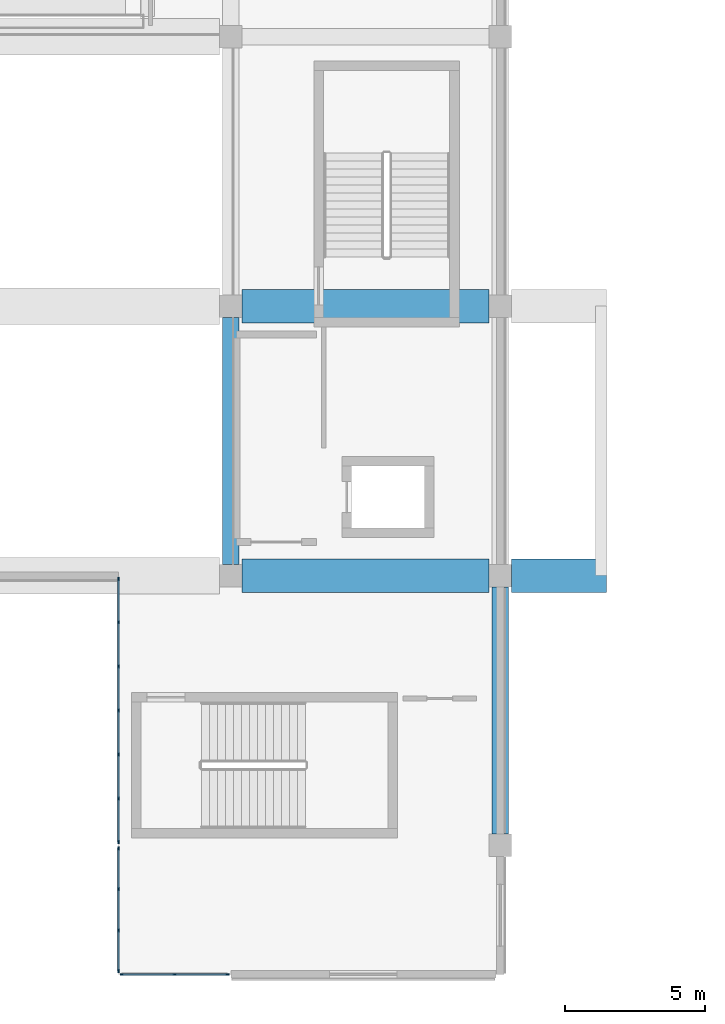
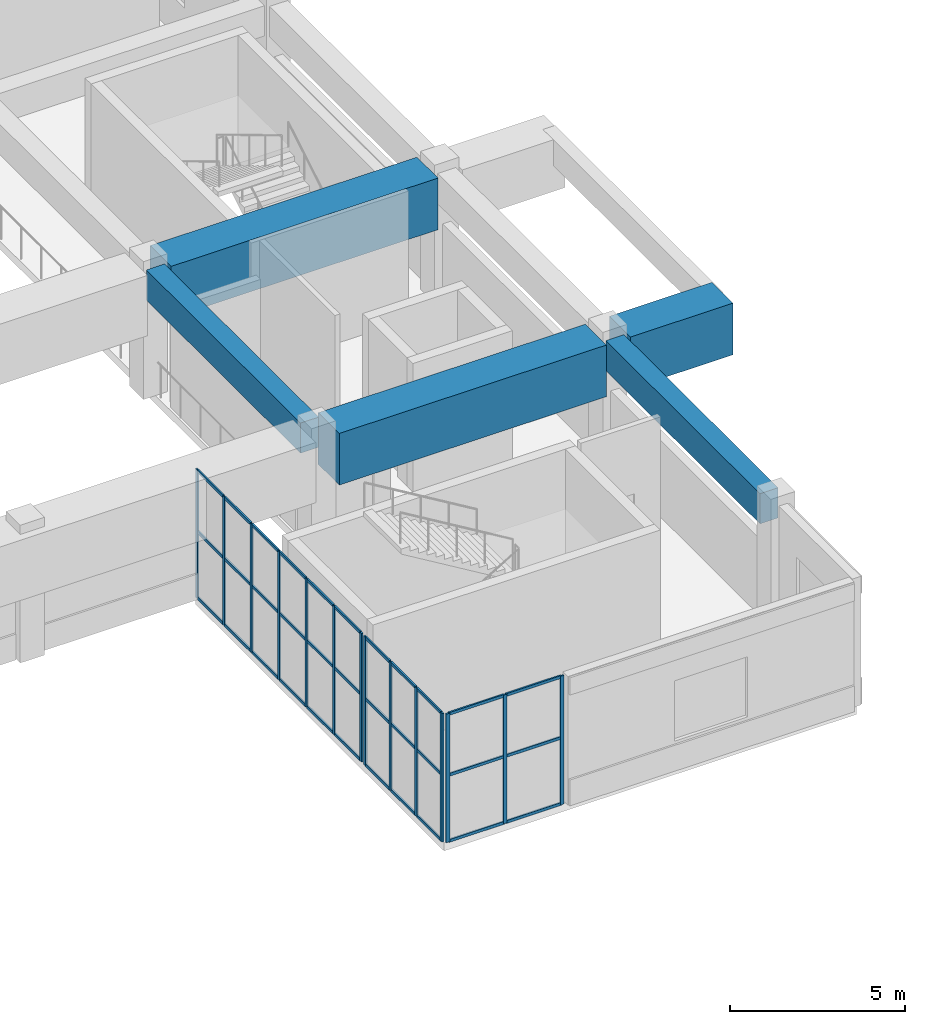
# One storey, part 7 of 33: 47 members, 5 beams, 3 elements without a shape of their own.
"""IFC4 building model written with IfcOpenShell, lengths in metres."""

from ifc_helpers import new_model, si_unit, direction, frame, origin, origin_2d, place, context, subcontext, project, spatial, rectangle, extrude, material, layer, layer_set, material_profile, profile_set, type_object, element, aggregate, save


model = new_model("IFC4")

# Units and contexts
model_context = context("Model", 3, precision=1e-05, world=origin(), true_north=direction((0.0, 1.0)))
body_context = subcontext(model_context, "Body", "Model", "MODEL_VIEW")
ifc_project = project(units=[si_unit("LENGTHUNIT", "METRE"), si_unit("AREAUNIT", "SQUARE_METRE"), si_unit("VOLUMEUNIT", "CUBIC_METRE"), si_unit("PLANEANGLEUNIT", "RADIAN"), si_unit("MASSUNIT", "GRAM", prefix="KILO")], contexts=[model_context])

# Site, building, storey
site_placement = place(None, origin())
site = spatial("IfcSite", under=ifc_project, at=site_placement, CompositionType="ELEMENT")
building_placement = place(site_placement, origin())
building = spatial("IfcBuilding", under=site, at=building_placement, Name="Cendralis Terraced Arcade", CompositionType="ELEMENT")
storey_placement = place(building_placement, frame((0.0, 0.0, 19.800048828125)))
storey = spatial("IfcBuildingStorey", under=building, at=storey_placement, Name="L04", CompositionType="ELEMENT", Elevation=19.800048828125)

# Beams
ifc_material_1 = material(Name="Concrete f'c 35 MPa", Category="concrete")
ifc_material_profile_1 = material_profile(ifc_material_1, rectangle(XDim=0.60009765625, YDim=1.050048828125, at=origin_2d()), Name="RC-BM-600x1050", Category="LoadBearing")
ifc_profile_set_1 = profile_set([ifc_material_profile_1], Name="Concrete f'c 35 MPa")
beam_type_1 = type_object("IfcBeamType", Name="BM-600x1050", PredefinedType="JOIST", material=ifc_profile_set_1)
beam_1_placement = place(storey_placement, frame((48.0, 19.60009765625, 3.954833984375), z_axis=(0.0, 1.0, 0.0), x_axis=(-1.0, 0.0, 0.0)))
element("IfcBeam", 1, at=beam_1_placement, inside=storey, type_object=beam_type_1, Name="Reinforced Concrete Frame Beam BM-Y-L05-6-C_D", PredefinedType="JOIST", context=body_context, shape_type="SweptSolid", body=[
    extrude(rectangle(XDim=0.60009765625, YDim=1.050048828125, at=origin_2d()), origin(), (0.0, 0.0, 1.0), 8.7998046875),
])
beam_2_placement = place(storey_placement, frame((57.60009765625, 10.0, 3.954833984375), z_axis=(0.0, 1.0, 0.0), x_axis=(-1.0, 0.0, 0.0)))
element("IfcBeam", 2, at=beam_2_placement, inside=storey, type_object=beam_type_1, Name="Reinforced Concrete Frame Beam BM-Y-L05-7-B_C", PredefinedType="JOIST", context=body_context, shape_type="SweptSolid", body=[
    extrude(rectangle(XDim=0.60009765625, YDim=1.050048828125, at=origin_2d()), origin(), (0.0, 0.0, 1.0), 8.800048828125),
])
ifc_material_2 = material(Name="Concrete f'c 42 MPa", Category="concrete")
ifc_material_profile_2 = material_profile(ifc_material_2, rectangle(XDim=1.199951171875, YDim=1.800048828125, at=origin_2d()), Name="RC-TG-1200x1800", Category="LoadBearing")
ifc_profile_set_2 = profile_set([ifc_material_profile_2], Name="Concrete f'c 42 MPa")
beam_type_2 = type_object("IfcBeamType", Name="BM-TG-1200x1800", PredefinedType="USERDEFINED", material=ifc_profile_set_2)
beam_3_placement = place(storey_placement, frame((48.39990234375, 19.199951171875, 3.579833984375), z_axis=(1.0, 0.0, 0.0), x_axis=(0.0, 1.0, 0.0)))
element("IfcBeam", 3, at=beam_3_placement, inside=storey, type_object=beam_type_2, Name="Reinforced Concrete Transfer Girder TG-L05-C-BACK", ObjectType="TRANSFER GIRDER", PredefinedType="USERDEFINED", context=body_context, shape_type="SweptSolid", body=[
    extrude(rectangle(XDim=1.199951171875, YDim=1.800048828125, at=origin_2d()), origin(), (0.0, 0.0, 1.0), 8.800048828125),
])
beam_4_placement = place(storey_placement, frame((58.0, 19.199951171875, 3.579833984375), z_axis=(1.0, 0.0, 0.0), x_axis=(0.0, 1.0, 0.0)))
element("IfcBeam", 4, at=beam_4_placement, inside=storey, type_object=beam_type_2, Name="Reinforced Concrete Transfer Girder TG-L05-C-CANT", ObjectType="TRANSFER GIRDER", PredefinedType="USERDEFINED", context=body_context, shape_type="SweptSolid", body=[
    extrude(rectangle(XDim=1.199951171875, YDim=1.800048828125, at=origin_2d()), origin(), (0.0, 0.0, 1.0), 3.3798828125),
])
beam_5_placement = place(storey_placement, frame((48.39990234375, 28.800048828125, 3.579833984375), z_axis=(1.0, 0.0, 0.0), x_axis=(0.0, 1.0, 0.0)))
element("IfcBeam", 5, at=beam_5_placement, inside=storey, type_object=beam_type_2, Name="Reinforced Concrete Transfer Girder TG-L05-D-BACK", ObjectType="TRANSFER GIRDER", PredefinedType="USERDEFINED", context=body_context, shape_type="SweptSolid", body=[
    extrude(rectangle(XDim=1.199951171875, YDim=1.800048828125, at=origin_2d()), origin(), (0.0, 0.0, 1.0), 8.800048828125),
])

# Curtain wall, members
ifc_material_3 = material(Name="Anodised aluminium EN AW-6063 T6", Category="aluminium")
ifc_layer = layer(ifc_material_3, 0.1201171875, Name="CW-STORE-B")
ifc_layer_set = layer_set([ifc_layer], Name="Anodised aluminium EN AW-6063 T6")
curtain_wall_type = type_object("IfcCurtainWallType", Name="CW-STORE-B", PredefinedType="USERDEFINED", material=ifc_layer_set)
curtain_wall_1_placement = place(storey_placement, origin())
curtain_wall_1 = element("IfcCurtainWall", 6, at=curtain_wall_1_placement, inside=storey, type_object=curtain_wall_type, Name="Exterior Storefront Glazing CW-L04-0348", ObjectType="STOREFRONT GLAZING", PredefinedType="USERDEFINED")
ifc_material_profile_3 = material_profile(ifc_material_3, rectangle(XDim=0.054931640625, YDim=0.1201171875, at=origin_2d()), Name="ALU-MUL-55x120")
ifc_profile_set_3 = profile_set([ifc_material_profile_3], Name="Anodised aluminium EN AW-6063 T6")
member_type_1 = type_object("IfcMemberType", Name="CW-STORE-B-MUL", PredefinedType="MULLION", material=ifc_profile_set_3)
member_1_placement = place(storey_placement, frame((47.882568359375, 5.0, 0.0), z_axis=(0.0, 0.0, 1.0), x_axis=(0.0, -1.0, 0.0)))
member_1 = element("IfcMember", 7, at=member_1_placement, type_object=member_type_1, Name="CW-S2 mullion 1", PredefinedType="MULLION", context=body_context, shape_type="SweptSolid", body=[
    extrude(rectangle(XDim=0.054931640625, YDim=0.1201171875, at=origin_2d()), origin(), (0.0, 0.0, 1.0), 4.47998046875),
])
member_2_placement = place(storey_placement, frame((46.0, 5.0, 0.0), z_axis=(0.0, 0.0, 1.0), x_axis=(0.0, -1.0, 0.0)))
member_2 = element("IfcMember", 8, at=member_2_placement, type_object=member_type_1, Name="CW-S2 mullion 2", PredefinedType="MULLION", context=body_context, shape_type="SweptSolid", body=[
    extrude(rectangle(XDim=0.054931640625, YDim=0.1201171875, at=origin_2d()), origin(), (0.0, 0.0, 1.0), 4.47998046875),
])
member_3_placement = place(storey_placement, frame((44.117431640625, 5.0, 0.0), z_axis=(0.0, 0.0, 1.0), x_axis=(0.0, -1.0, 0.0)))
member_3 = element("IfcMember", 9, at=member_3_placement, type_object=member_type_1, Name="CW-S2 mullion 3", PredefinedType="MULLION", context=body_context, shape_type="SweptSolid", body=[
    extrude(rectangle(XDim=0.054931640625, YDim=0.1201171875, at=origin_2d()), origin(), (0.0, 0.0, 1.0), 4.47998046875),
])

curtain_wall_2_placement = place(storey_placement, origin())
curtain_wall_2 = element("IfcCurtainWall", 10, at=curtain_wall_2_placement, inside=storey, type_object=curtain_wall_type, Name="Exterior Storefront Glazing CW-L04-0349", ObjectType="STOREFRONT GLAZING", PredefinedType="USERDEFINED")
member_4_placement = place(storey_placement, frame((44.0, 5.117431640625, 0.0), z_axis=(0.0, 0.0, 1.0), x_axis=(-1.0, 0.0, 0.0)))
member_4 = element("IfcMember", 11, at=member_4_placement, type_object=member_type_1, Name="CW-S2 mullion 1", PredefinedType="MULLION", context=body_context, shape_type="SweptSolid", body=[
    extrude(rectangle(XDim=0.054931640625, YDim=0.1201171875, at=origin_2d()), origin(), (0.0, 0.0, 1.0), 4.47998046875),
])
member_5_placement = place(storey_placement, frame((44.0, 6.563232421875, 0.0), z_axis=(0.0, 0.0, 1.0), x_axis=(-1.0, 0.0, 0.0)))
member_5 = element("IfcMember", 12, at=member_5_placement, type_object=member_type_1, Name="CW-S2 mullion 2", PredefinedType="MULLION", context=body_context, shape_type="SweptSolid", body=[
    extrude(rectangle(XDim=0.054931640625, YDim=0.1201171875, at=origin_2d()), origin(), (0.0, 0.0, 1.0), 4.47998046875),
])
member_6_placement = place(storey_placement, frame((44.0, 8.03662109375, 0.0), z_axis=(0.0, 0.0, 1.0), x_axis=(-1.0, 0.0, 0.0)))
member_6 = element("IfcMember", 13, at=member_6_placement, type_object=member_type_1, Name="CW-S2 mullion 3", PredefinedType="MULLION", context=body_context, shape_type="SweptSolid", body=[
    extrude(rectangle(XDim=0.054931640625, YDim=0.1201171875, at=origin_2d()), origin(), (0.0, 0.0, 1.0), 4.47998046875),
])
member_7_placement = place(storey_placement, frame((44.0, 9.482421875, 0.0), z_axis=(0.0, 0.0, 1.0), x_axis=(-1.0, 0.0, 0.0)))
member_7 = element("IfcMember", 14, at=member_7_placement, type_object=member_type_1, Name="CW-S2 mullion 4", PredefinedType="MULLION", context=body_context, shape_type="SweptSolid", body=[
    extrude(rectangle(XDim=0.054931640625, YDim=0.1201171875, at=origin_2d()), origin(), (0.0, 0.0, 1.0), 4.47998046875),
])

curtain_wall_3_placement = place(storey_placement, origin())
curtain_wall_3 = element("IfcCurtainWall", 15, at=curtain_wall_3_placement, inside=storey, type_object=curtain_wall_type, Name="Exterior Storefront Glazing CW-L04-0350", ObjectType="STOREFRONT GLAZING", PredefinedType="USERDEFINED")
member_8_placement = place(storey_placement, frame((44.0, 9.717529296875, 0.0), z_axis=(0.0, 0.0, 1.0), x_axis=(-1.0, 0.0, 0.0)))
member_8 = element("IfcMember", 16, at=member_8_placement, type_object=member_type_1, Name="CW-S2 mullion 1", PredefinedType="MULLION", context=body_context, shape_type="SweptSolid", body=[
    extrude(rectangle(XDim=0.054931640625, YDim=0.1201171875, at=origin_2d()), origin(), (0.0, 0.0, 1.0), 4.47998046875),
])
member_9_placement = place(storey_placement, frame((44.0, 11.260009765625, 0.0), z_axis=(0.0, 0.0, 1.0), x_axis=(-1.0, 0.0, 0.0)))
member_9 = element("IfcMember", 17, at=member_9_placement, type_object=member_type_1, Name="CW-S2 mullion 2", PredefinedType="MULLION", context=body_context, shape_type="SweptSolid", body=[
    extrude(rectangle(XDim=0.054931640625, YDim=0.1201171875, at=origin_2d()), origin(), (0.0, 0.0, 1.0), 4.47998046875),
])
member_10_placement = place(storey_placement, frame((44.0, 12.830078125, 0.0), z_axis=(0.0, 0.0, 1.0), x_axis=(-1.0, 0.0, 0.0)))
member_10 = element("IfcMember", 18, at=member_10_placement, type_object=member_type_1, Name="CW-S2 mullion 3", PredefinedType="MULLION", context=body_context, shape_type="SweptSolid", body=[
    extrude(rectangle(XDim=0.054931640625, YDim=0.1201171875, at=origin_2d()), origin(), (0.0, 0.0, 1.0), 4.47998046875),
])
member_11_placement = place(storey_placement, frame((44.0, 14.39990234375, 0.0), z_axis=(0.0, 0.0, 1.0), x_axis=(-1.0, 0.0, 0.0)))
member_11 = element("IfcMember", 19, at=member_11_placement, type_object=member_type_1, Name="CW-S2 mullion 4", PredefinedType="MULLION", context=body_context, shape_type="SweptSolid", body=[
    extrude(rectangle(XDim=0.054931640625, YDim=0.1201171875, at=origin_2d()), origin(), (0.0, 0.0, 1.0), 4.47998046875),
])
member_12_placement = place(storey_placement, frame((44.0, 15.969970703125, 0.0), z_axis=(0.0, 0.0, 1.0), x_axis=(-1.0, 0.0, 0.0)))
member_12 = element("IfcMember", 20, at=member_12_placement, type_object=member_type_1, Name="CW-S2 mullion 5", PredefinedType="MULLION", context=body_context, shape_type="SweptSolid", body=[
    extrude(rectangle(XDim=0.054931640625, YDim=0.1201171875, at=origin_2d()), origin(), (0.0, 0.0, 1.0), 4.47998046875),
])
member_13_placement = place(storey_placement, frame((44.0, 17.5400390625, 0.0), z_axis=(0.0, 0.0, 1.0), x_axis=(-1.0, 0.0, 0.0)))
member_13 = element("IfcMember", 21, at=member_13_placement, type_object=member_type_1, Name="CW-S2 mullion 6", PredefinedType="MULLION", context=body_context, shape_type="SweptSolid", body=[
    extrude(rectangle(XDim=0.054931640625, YDim=0.1201171875, at=origin_2d()), origin(), (0.0, 0.0, 1.0), 4.47998046875),
])
member_14_placement = place(storey_placement, frame((44.0, 19.08251953125, 0.0), z_axis=(0.0, 0.0, 1.0), x_axis=(-1.0, 0.0, 0.0)))
member_14 = element("IfcMember", 22, at=member_14_placement, type_object=member_type_1, Name="CW-S2 mullion 7", PredefinedType="MULLION", context=body_context, shape_type="SweptSolid", body=[
    extrude(rectangle(XDim=0.054931640625, YDim=0.1201171875, at=origin_2d()), origin(), (0.0, 0.0, 1.0), 4.47998046875),
])

# Member
ifc_material_profile_4 = material_profile(ifc_material_3, rectangle(XDim=0.054931640625, YDim=0.10009765625, at=origin_2d()), Name="ALU-TRN-55x100")
ifc_profile_set_4 = profile_set([ifc_material_profile_4], Name="Anodised aluminium EN AW-6063 T6")
member_type_2 = type_object("IfcMemberType", Name="CW-STORE-B-TRN", PredefinedType="USERDEFINED", material=ifc_profile_set_4)
member_15_placement = place(storey_placement, frame((47.85498046875, 5.0, 0.02734375), z_axis=(-1.0, 0.0, 0.0), x_axis=(0.0, -1.0, 0.0)))
member_15 = element("IfcMember", 23, at=member_15_placement, type_object=member_type_2, Name="CW-S2 transom 1.1", ObjectType="TRANSOM", PredefinedType="USERDEFINED", context=body_context, shape_type="SweptSolid", body=[
    extrude(rectangle(XDim=0.054931640625, YDim=0.10009765625, at=origin_2d()), origin(), (0.0, 0.0, 1.0), 1.827392578125),
])

member_16_placement = place(storey_placement, frame((47.85498046875, 5.0, 2.32958984375), z_axis=(-1.0, 0.0, 0.0), x_axis=(0.0, -1.0, 0.0)))
member_16 = element("IfcMember", 24, at=member_16_placement, type_object=member_type_2, Name="CW-S2 transom 1.2", ObjectType="TRANSOM", PredefinedType="USERDEFINED", context=body_context, shape_type="SweptSolid", body=[
    extrude(rectangle(XDim=0.054931640625, YDim=0.10009765625, at=origin_2d()), origin(), (0.0, 0.0, 1.0), 1.827392578125),
])

member_17_placement = place(storey_placement, frame((47.85498046875, 5.0, 4.452392578125), z_axis=(-1.0, 0.0, 0.0), x_axis=(0.0, -1.0, 0.0)))
member_17 = element("IfcMember", 25, at=member_17_placement, type_object=member_type_2, Name="CW-S2 transom 1.3", ObjectType="TRANSOM", PredefinedType="USERDEFINED", context=body_context, shape_type="SweptSolid", body=[
    extrude(rectangle(XDim=0.054931640625, YDim=0.10009765625, at=origin_2d()), origin(), (0.0, 0.0, 1.0), 1.827392578125),
])

member_18_placement = place(storey_placement, frame((45.972412109375, 5.0, 0.02734375), z_axis=(-1.0, 0.0, 0.0), x_axis=(0.0, -1.0, 0.0)))
member_18 = element("IfcMember", 26, at=member_18_placement, type_object=member_type_2, Name="CW-S2 transom 2.1", ObjectType="TRANSOM", PredefinedType="USERDEFINED", context=body_context, shape_type="SweptSolid", body=[
    extrude(rectangle(XDim=0.054931640625, YDim=0.10009765625, at=origin_2d()), origin(), (0.0, 0.0, 1.0), 1.827392578125),
])

member_19_placement = place(storey_placement, frame((45.972412109375, 5.0, 2.32958984375), z_axis=(-1.0, 0.0, 0.0), x_axis=(0.0, -1.0, 0.0)))
member_19 = element("IfcMember", 27, at=member_19_placement, type_object=member_type_2, Name="CW-S2 transom 2.2", ObjectType="TRANSOM", PredefinedType="USERDEFINED", context=body_context, shape_type="SweptSolid", body=[
    extrude(rectangle(XDim=0.054931640625, YDim=0.10009765625, at=origin_2d()), origin(), (0.0, 0.0, 1.0), 1.827392578125),
])

member_20_placement = place(storey_placement, frame((45.972412109375, 5.0, 4.452392578125), z_axis=(-1.0, 0.0, 0.0), x_axis=(0.0, -1.0, 0.0)))
member_20 = element("IfcMember", 28, at=member_20_placement, type_object=member_type_2, Name="CW-S2 transom 2.3", ObjectType="TRANSOM", PredefinedType="USERDEFINED", context=body_context, shape_type="SweptSolid", body=[
    extrude(rectangle(XDim=0.054931640625, YDim=0.10009765625, at=origin_2d()), origin(), (0.0, 0.0, 1.0), 1.827392578125),
])

aggregate(curtain_wall_1, [member_1, member_2, member_3, member_15, member_16, member_17, member_18, member_19, member_20])

member_21_placement = place(storey_placement, frame((44.0, 5.14501953125, 0.02734375), z_axis=(0.0, 1.0, 0.0), x_axis=(-1.0, 0.0, 0.0)))
member_21 = element("IfcMember", 29, at=member_21_placement, type_object=member_type_2, Name="CW-S2 transom 1.1", ObjectType="TRANSOM", PredefinedType="USERDEFINED", context=body_context, shape_type="SweptSolid", body=[
    extrude(rectangle(XDim=0.054931640625, YDim=0.10009765625, at=origin_2d()), origin(), (0.0, 0.0, 1.0), 1.390869140625),
])

member_22_placement = place(storey_placement, frame((44.0, 5.14501953125, 2.32958984375), z_axis=(0.0, 1.0, 0.0), x_axis=(-1.0, 0.0, 0.0)))
member_22 = element("IfcMember", 30, at=member_22_placement, type_object=member_type_2, Name="CW-S2 transom 1.2", ObjectType="TRANSOM", PredefinedType="USERDEFINED", context=body_context, shape_type="SweptSolid", body=[
    extrude(rectangle(XDim=0.054931640625, YDim=0.10009765625, at=origin_2d()), origin(), (0.0, 0.0, 1.0), 1.390869140625),
])

member_23_placement = place(storey_placement, frame((44.0, 5.14501953125, 4.452392578125), z_axis=(0.0, 1.0, 0.0), x_axis=(-1.0, 0.0, 0.0)))
member_23 = element("IfcMember", 31, at=member_23_placement, type_object=member_type_2, Name="CW-S2 transom 1.3", ObjectType="TRANSOM", PredefinedType="USERDEFINED", context=body_context, shape_type="SweptSolid", body=[
    extrude(rectangle(XDim=0.054931640625, YDim=0.10009765625, at=origin_2d()), origin(), (0.0, 0.0, 1.0), 1.390869140625),
])

member_24_placement = place(storey_placement, frame((44.0, 6.5908203125, 0.02734375), z_axis=(0.0, 1.0, 0.0), x_axis=(-1.0, 0.0, 0.0)))
member_24 = element("IfcMember", 32, at=member_24_placement, type_object=member_type_2, Name="CW-S2 transom 2.1", ObjectType="TRANSOM", PredefinedType="USERDEFINED", context=body_context, shape_type="SweptSolid", body=[
    extrude(rectangle(XDim=0.054931640625, YDim=0.10009765625, at=origin_2d()), origin(), (0.0, 0.0, 1.0), 1.41845703125),
])

member_25_placement = place(storey_placement, frame((44.0, 6.5908203125, 2.32958984375), z_axis=(0.0, 1.0, 0.0), x_axis=(-1.0, 0.0, 0.0)))
member_25 = element("IfcMember", 33, at=member_25_placement, type_object=member_type_2, Name="CW-S2 transom 2.2", ObjectType="TRANSOM", PredefinedType="USERDEFINED", context=body_context, shape_type="SweptSolid", body=[
    extrude(rectangle(XDim=0.054931640625, YDim=0.10009765625, at=origin_2d()), origin(), (0.0, 0.0, 1.0), 1.41845703125),
])

member_26_placement = place(storey_placement, frame((44.0, 6.5908203125, 4.452392578125), z_axis=(0.0, 1.0, 0.0), x_axis=(-1.0, 0.0, 0.0)))
member_26 = element("IfcMember", 34, at=member_26_placement, type_object=member_type_2, Name="CW-S2 transom 2.3", ObjectType="TRANSOM", PredefinedType="USERDEFINED", context=body_context, shape_type="SweptSolid", body=[
    extrude(rectangle(XDim=0.054931640625, YDim=0.10009765625, at=origin_2d()), origin(), (0.0, 0.0, 1.0), 1.41845703125),
])

member_27_placement = place(storey_placement, frame((44.0, 8.064208984375, 0.02734375), z_axis=(0.0, 1.0, 0.0), x_axis=(-1.0, 0.0, 0.0)))
member_27 = element("IfcMember", 35, at=member_27_placement, type_object=member_type_2, Name="CW-S2 transom 3.1", ObjectType="TRANSOM", PredefinedType="USERDEFINED", context=body_context, shape_type="SweptSolid", body=[
    extrude(rectangle(XDim=0.054931640625, YDim=0.10009765625, at=origin_2d()), origin(), (0.0, 0.0, 1.0), 1.390869140625),
])

member_28_placement = place(storey_placement, frame((44.0, 8.064208984375, 2.32958984375), z_axis=(0.0, 1.0, 0.0), x_axis=(-1.0, 0.0, 0.0)))
member_28 = element("IfcMember", 36, at=member_28_placement, type_object=member_type_2, Name="CW-S2 transom 3.2", ObjectType="TRANSOM", PredefinedType="USERDEFINED", context=body_context, shape_type="SweptSolid", body=[
    extrude(rectangle(XDim=0.054931640625, YDim=0.10009765625, at=origin_2d()), origin(), (0.0, 0.0, 1.0), 1.390869140625),
])

member_29_placement = place(storey_placement, frame((44.0, 8.064208984375, 4.452392578125), z_axis=(0.0, 1.0, 0.0), x_axis=(-1.0, 0.0, 0.0)))
member_29 = element("IfcMember", 37, at=member_29_placement, type_object=member_type_2, Name="CW-S2 transom 3.3", ObjectType="TRANSOM", PredefinedType="USERDEFINED", context=body_context, shape_type="SweptSolid", body=[
    extrude(rectangle(XDim=0.054931640625, YDim=0.10009765625, at=origin_2d()), origin(), (0.0, 0.0, 1.0), 1.390869140625),
])

aggregate(curtain_wall_2, [member_4, member_5, member_6, member_7, member_21, member_22, member_23, member_24, member_25, member_26, member_27, member_28, member_29])

member_30_placement = place(storey_placement, frame((44.0, 9.7451171875, 0.02734375), z_axis=(0.0, 1.0, 0.0), x_axis=(-1.0, 0.0, 0.0)))
member_30 = element("IfcMember", 38, at=member_30_placement, type_object=member_type_2, Name="CW-S2 transom 1.1", ObjectType="TRANSOM", PredefinedType="USERDEFINED", context=body_context, shape_type="SweptSolid", body=[
    extrude(rectangle(XDim=0.054931640625, YDim=0.10009765625, at=origin_2d()), origin(), (0.0, 0.0, 1.0), 1.4873046875),
])

member_31_placement = place(storey_placement, frame((44.0, 9.7451171875, 2.32958984375), z_axis=(0.0, 1.0, 0.0), x_axis=(-1.0, 0.0, 0.0)))
member_31 = element("IfcMember", 39, at=member_31_placement, type_object=member_type_2, Name="CW-S2 transom 1.2", ObjectType="TRANSOM", PredefinedType="USERDEFINED", context=body_context, shape_type="SweptSolid", body=[
    extrude(rectangle(XDim=0.054931640625, YDim=0.10009765625, at=origin_2d()), origin(), (0.0, 0.0, 1.0), 1.4873046875),
])

member_32_placement = place(storey_placement, frame((44.0, 9.7451171875, 4.452392578125), z_axis=(0.0, 1.0, 0.0), x_axis=(-1.0, 0.0, 0.0)))
member_32 = element("IfcMember", 40, at=member_32_placement, type_object=member_type_2, Name="CW-S2 transom 1.3", ObjectType="TRANSOM", PredefinedType="USERDEFINED", context=body_context, shape_type="SweptSolid", body=[
    extrude(rectangle(XDim=0.054931640625, YDim=0.10009765625, at=origin_2d()), origin(), (0.0, 0.0, 1.0), 1.4873046875),
])

member_33_placement = place(storey_placement, frame((44.0, 11.28759765625, 0.02734375), z_axis=(0.0, 1.0, 0.0), x_axis=(-1.0, 0.0, 0.0)))
member_33 = element("IfcMember", 41, at=member_33_placement, type_object=member_type_2, Name="CW-S2 transom 2.1", ObjectType="TRANSOM", PredefinedType="USERDEFINED", context=body_context, shape_type="SweptSolid", body=[
    extrude(rectangle(XDim=0.054931640625, YDim=0.10009765625, at=origin_2d()), origin(), (0.0, 0.0, 1.0), 1.514892578125),
])

member_34_placement = place(storey_placement, frame((44.0, 11.28759765625, 2.32958984375), z_axis=(0.0, 1.0, 0.0), x_axis=(-1.0, 0.0, 0.0)))
member_34 = element("IfcMember", 42, at=member_34_placement, type_object=member_type_2, Name="CW-S2 transom 2.2", ObjectType="TRANSOM", PredefinedType="USERDEFINED", context=body_context, shape_type="SweptSolid", body=[
    extrude(rectangle(XDim=0.054931640625, YDim=0.10009765625, at=origin_2d()), origin(), (0.0, 0.0, 1.0), 1.514892578125),
])

member_35_placement = place(storey_placement, frame((44.0, 11.28759765625, 4.452392578125), z_axis=(0.0, 1.0, 0.0), x_axis=(-1.0, 0.0, 0.0)))
member_35 = element("IfcMember", 43, at=member_35_placement, type_object=member_type_2, Name="CW-S2 transom 2.3", ObjectType="TRANSOM", PredefinedType="USERDEFINED", context=body_context, shape_type="SweptSolid", body=[
    extrude(rectangle(XDim=0.054931640625, YDim=0.10009765625, at=origin_2d()), origin(), (0.0, 0.0, 1.0), 1.514892578125),
])

member_36_placement = place(storey_placement, frame((44.0, 12.857421875, 0.02734375), z_axis=(0.0, 1.0, 0.0), x_axis=(-1.0, 0.0, 0.0)))
member_36 = element("IfcMember", 44, at=member_36_placement, type_object=member_type_2, Name="CW-S2 transom 3.1", ObjectType="TRANSOM", PredefinedType="USERDEFINED", context=body_context, shape_type="SweptSolid", body=[
    extrude(rectangle(XDim=0.054931640625, YDim=0.10009765625, at=origin_2d()), origin(), (0.0, 0.0, 1.0), 1.51513671875),
])

member_37_placement = place(storey_placement, frame((44.0, 12.857421875, 2.32958984375), z_axis=(0.0, 1.0, 0.0), x_axis=(-1.0, 0.0, 0.0)))
member_37 = element("IfcMember", 45, at=member_37_placement, type_object=member_type_2, Name="CW-S2 transom 3.2", ObjectType="TRANSOM", PredefinedType="USERDEFINED", context=body_context, shape_type="SweptSolid", body=[
    extrude(rectangle(XDim=0.054931640625, YDim=0.10009765625, at=origin_2d()), origin(), (0.0, 0.0, 1.0), 1.51513671875),
])

member_38_placement = place(storey_placement, frame((44.0, 12.857421875, 4.452392578125), z_axis=(0.0, 1.0, 0.0), x_axis=(-1.0, 0.0, 0.0)))
member_38 = element("IfcMember", 46, at=member_38_placement, type_object=member_type_2, Name="CW-S2 transom 3.3", ObjectType="TRANSOM", PredefinedType="USERDEFINED", context=body_context, shape_type="SweptSolid", body=[
    extrude(rectangle(XDim=0.054931640625, YDim=0.10009765625, at=origin_2d()), origin(), (0.0, 0.0, 1.0), 1.51513671875),
])

member_39_placement = place(storey_placement, frame((44.0, 14.427490234375, 0.02734375), z_axis=(0.0, 1.0, 0.0), x_axis=(-1.0, 0.0, 0.0)))
member_39 = element("IfcMember", 47, at=member_39_placement, type_object=member_type_2, Name="CW-S2 transom 4.1", ObjectType="TRANSOM", PredefinedType="USERDEFINED", context=body_context, shape_type="SweptSolid", body=[
    extrude(rectangle(XDim=0.054931640625, YDim=0.10009765625, at=origin_2d()), origin(), (0.0, 0.0, 1.0), 1.514892578125),
])

member_40_placement = place(storey_placement, frame((44.0, 14.427490234375, 2.32958984375), z_axis=(0.0, 1.0, 0.0), x_axis=(-1.0, 0.0, 0.0)))
member_40 = element("IfcMember", 48, at=member_40_placement, type_object=member_type_2, Name="CW-S2 transom 4.2", ObjectType="TRANSOM", PredefinedType="USERDEFINED", context=body_context, shape_type="SweptSolid", body=[
    extrude(rectangle(XDim=0.054931640625, YDim=0.10009765625, at=origin_2d()), origin(), (0.0, 0.0, 1.0), 1.514892578125),
])

member_41_placement = place(storey_placement, frame((44.0, 14.427490234375, 4.452392578125), z_axis=(0.0, 1.0, 0.0), x_axis=(-1.0, 0.0, 0.0)))
member_41 = element("IfcMember", 49, at=member_41_placement, type_object=member_type_2, Name="CW-S2 transom 4.3", ObjectType="TRANSOM", PredefinedType="USERDEFINED", context=body_context, shape_type="SweptSolid", body=[
    extrude(rectangle(XDim=0.054931640625, YDim=0.10009765625, at=origin_2d()), origin(), (0.0, 0.0, 1.0), 1.514892578125),
])

member_42_placement = place(storey_placement, frame((44.0, 15.99755859375, 0.02734375), z_axis=(0.0, 1.0, 0.0), x_axis=(-1.0, 0.0, 0.0)))
member_42 = element("IfcMember", 50, at=member_42_placement, type_object=member_type_2, Name="CW-S2 transom 5.1", ObjectType="TRANSOM", PredefinedType="USERDEFINED", context=body_context, shape_type="SweptSolid", body=[
    extrude(rectangle(XDim=0.054931640625, YDim=0.10009765625, at=origin_2d()), origin(), (0.0, 0.0, 1.0), 1.514892578125),
])

member_43_placement = place(storey_placement, frame((44.0, 15.99755859375, 2.32958984375), z_axis=(0.0, 1.0, 0.0), x_axis=(-1.0, 0.0, 0.0)))
member_43 = element("IfcMember", 51, at=member_43_placement, type_object=member_type_2, Name="CW-S2 transom 5.2", ObjectType="TRANSOM", PredefinedType="USERDEFINED", context=body_context, shape_type="SweptSolid", body=[
    extrude(rectangle(XDim=0.054931640625, YDim=0.10009765625, at=origin_2d()), origin(), (0.0, 0.0, 1.0), 1.514892578125),
])

member_44_placement = place(storey_placement, frame((44.0, 15.99755859375, 4.452392578125), z_axis=(0.0, 1.0, 0.0), x_axis=(-1.0, 0.0, 0.0)))
member_44 = element("IfcMember", 52, at=member_44_placement, type_object=member_type_2, Name="CW-S2 transom 5.3", ObjectType="TRANSOM", PredefinedType="USERDEFINED", context=body_context, shape_type="SweptSolid", body=[
    extrude(rectangle(XDim=0.054931640625, YDim=0.10009765625, at=origin_2d()), origin(), (0.0, 0.0, 1.0), 1.514892578125),
])

member_45_placement = place(storey_placement, frame((44.0, 17.5673828125, 0.02734375), z_axis=(0.0, 1.0, 0.0), x_axis=(-1.0, 0.0, 0.0)))
member_45 = element("IfcMember", 53, at=member_45_placement, type_object=member_type_2, Name="CW-S2 transom 6.1", ObjectType="TRANSOM", PredefinedType="USERDEFINED", context=body_context, shape_type="SweptSolid", body=[
    extrude(rectangle(XDim=0.054931640625, YDim=0.10009765625, at=origin_2d()), origin(), (0.0, 0.0, 1.0), 1.487548828125),
])

member_46_placement = place(storey_placement, frame((44.0, 17.5673828125, 2.32958984375), z_axis=(0.0, 1.0, 0.0), x_axis=(-1.0, 0.0, 0.0)))
member_46 = element("IfcMember", 54, at=member_46_placement, type_object=member_type_2, Name="CW-S2 transom 6.2", ObjectType="TRANSOM", PredefinedType="USERDEFINED", context=body_context, shape_type="SweptSolid", body=[
    extrude(rectangle(XDim=0.054931640625, YDim=0.10009765625, at=origin_2d()), origin(), (0.0, 0.0, 1.0), 1.487548828125),
])

member_47_placement = place(storey_placement, frame((44.0, 17.5673828125, 4.452392578125), z_axis=(0.0, 1.0, 0.0), x_axis=(-1.0, 0.0, 0.0)))
member_47 = element("IfcMember", 55, at=member_47_placement, type_object=member_type_2, Name="CW-S2 transom 6.3", ObjectType="TRANSOM", PredefinedType="USERDEFINED", context=body_context, shape_type="SweptSolid", body=[
    extrude(rectangle(XDim=0.054931640625, YDim=0.10009765625, at=origin_2d()), origin(), (0.0, 0.0, 1.0), 1.487548828125),
])

aggregate(curtain_wall_3, [member_8, member_9, member_10, member_11, member_12, member_13, member_14, member_30, member_31, member_32, member_33, member_34, member_35, member_36, member_37, member_38, member_39, member_40, member_41, member_42, member_43, member_44, member_45, member_46, member_47])

save(model, "model.ifc")
